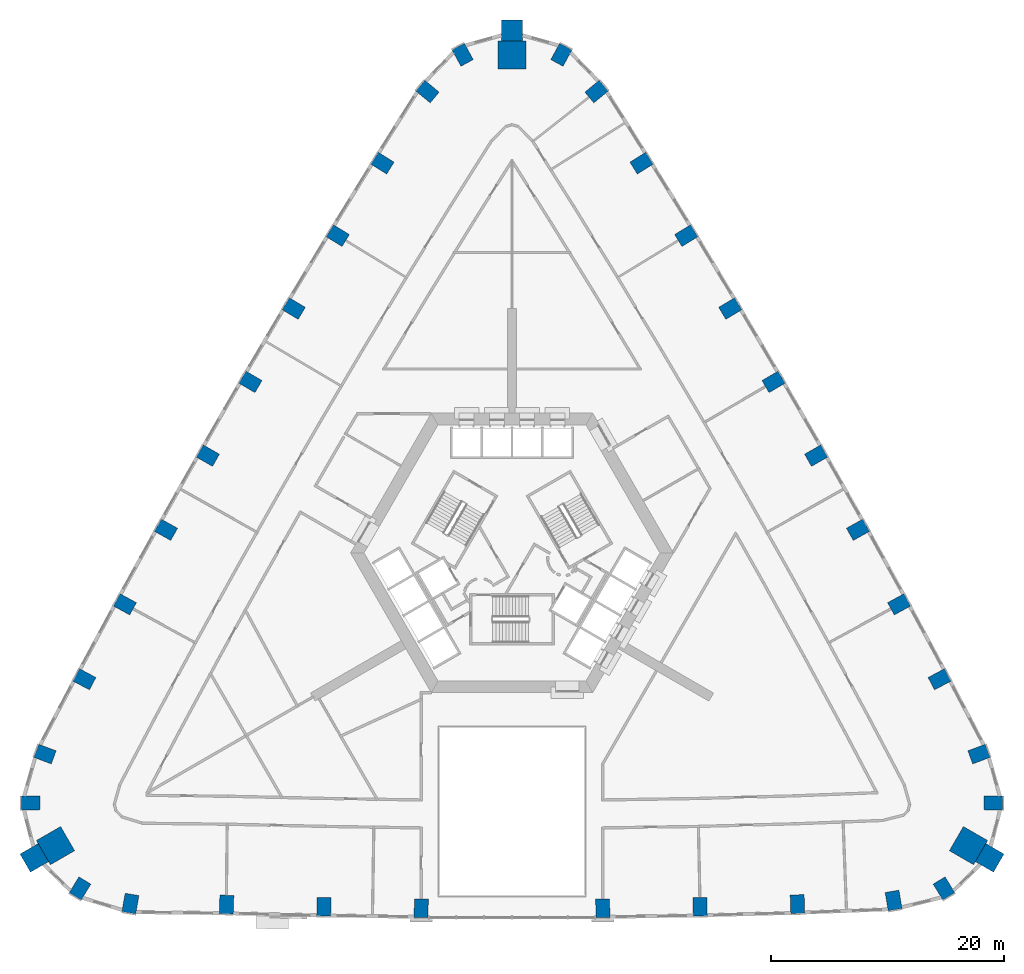
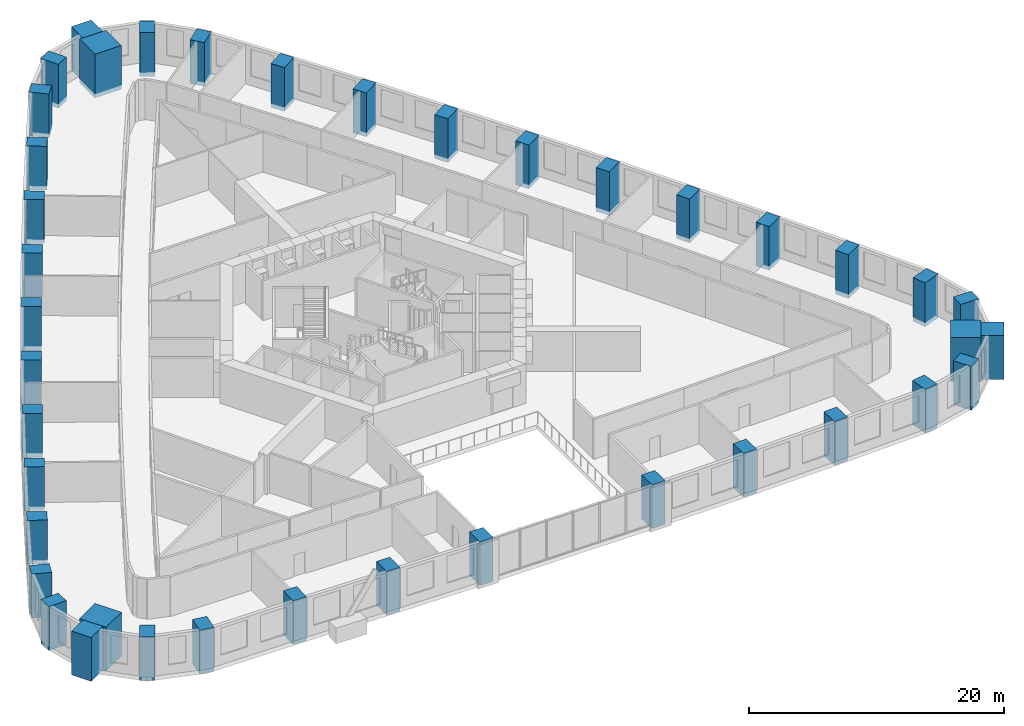
# One storey, part 1 of 13: 40 columns.
"""IFC4 building model written with IfcOpenShell, lengths in metres."""

import ifcopenshell
import ifcopenshell.guid

model = None  # the IFC model being written
_history = None  # IfcOwnerHistory: only IFC2X3 demands one
_inside = {}  # id of a spatial element -> (the spatial element, [elements in it])
_under = {}  # id of a project, library or spatial element -> (it, [spatial elements below it])
_declared = {}  # id of a project -> (the project, [libraries it declares])
_typed = {}  # id of a type object -> (the type object, [elements of that type])
_made_of = {}  # id of a material, layer set ... -> (it, [elements and type objects made of it])


def new_model(schema):
    """Start an empty IFC model of exactly this schema.

    Asked for "IFC4X3", IfcOpenShell would pick the latest addendum, in which some entities
    have other attributes; the version numbers below select the first issue.
    IFC2X3 requires an IfcOwnerHistory on every rooted entity: one is made here for all.
    """
    global model, _history
    if schema == "IFC4X3":
        model = ifcopenshell.file(schema_version=(4, 3, 0, 0))
    else:
        model = ifcopenshell.file(schema=schema)
    _inside.clear()
    _under.clear()
    _declared.clear()
    _typed.clear()
    _made_of.clear()
    _history = None
    if model.schema == "IFC2X3":
        org = make("IfcOrganization", Name="unknown")
        user = make(
            "IfcPersonAndOrganization",
            ThePerson=make("IfcPerson", FamilyName="unknown"),
            TheOrganization=org,
        )
        app = make(
            "IfcApplication",
            ApplicationDeveloper=org,
            Version="unknown",
            ApplicationFullName="unknown",
            ApplicationIdentifier="unknown",
        )
        _history = make(
            "IfcOwnerHistory",
            OwningUser=user,
            OwningApplication=app,
            ChangeAction="ADDED",
            CreationDate=0,
        )
    return model


def make(cls, **values):
    """One entity of the class cls with the attributes given. An attribute that is None is left unset."""
    return model.create_entity(
        cls, **{name: value for name, value in values.items() if value is not None}
    )


def rooted(cls, **values):
    """An entity with a GlobalId (a new one), such as an element, a storey or a relation."""
    return make(cls, GlobalId=ifcopenshell.guid.new(), OwnerHistory=_history, **values)


def si_unit(unit_type, name, prefix=None):
    """IfcSIUnit, for example si_unit("LENGTHUNIT", "METRE", prefix="MILLI")."""
    return make("IfcSIUnit", UnitType=unit_type, Prefix=prefix, Name=name)


def assignment(units):
    """IfcUnitAssignment: the units of a project."""
    return None if units is None else make("IfcUnitAssignment", Units=units)


def point(xyz):
    """IfcCartesianPoint."""
    return None if xyz is None else make("IfcCartesianPoint", Coordinates=xyz)


def direction(xyz):
    """IfcDirection."""
    return None if xyz is None else make("IfcDirection", DirectionRatios=xyz)


def frame(location, z_axis=None, x_axis=None):
    """IfcAxis2Placement3D, a coordinate frame: its origin and axes. An axis left out is left unset."""
    return make(
        "IfcAxis2Placement3D",
        Location=point(location),
        Axis=direction(z_axis),
        RefDirection=direction(x_axis),
    )


def frame_2d(location, x_axis=None):
    """IfcAxis2Placement2D, a coordinate frame in the plane: its origin and x axis."""
    return make(
        "IfcAxis2Placement2D", Location=point(location), RefDirection=direction(x_axis)
    )


def origin():
    """The frame at (0, 0, 0) with its axes left unset."""
    return frame((0.0, 0.0, 0.0))


def origin_2d():
    """The frame at (0, 0) in the plane with its x axis left unset."""
    return frame_2d((0.0, 0.0))


def place(relative_to, where):
    """IfcLocalPlacement: puts the frame where relative to a parent placement (None: the world)."""
    return make(
        "IfcLocalPlacement", PlacementRelTo=relative_to, RelativePlacement=where
    )


def context(
    kind, dimensions, precision=None, world=None, true_north=None, identifier=None
):
    """IfcGeometricRepresentationContext, for example the 3D "Model" context."""
    return make(
        "IfcGeometricRepresentationContext",
        ContextIdentifier=identifier,
        ContextType=kind,
        CoordinateSpaceDimension=dimensions,
        Precision=precision,
        WorldCoordinateSystem=world,
        TrueNorth=true_north,
    )


def subcontext(parent, identifier, kind, view, scale=None):
    """IfcGeometricRepresentationSubContext, for example "Body" below "Model"."""
    return make(
        "IfcGeometricRepresentationSubContext",
        ContextIdentifier=identifier,
        ContextType=kind,
        ParentContext=parent,
        TargetScale=scale,
        TargetView=view,
    )


def project(units=None, contexts=None):
    """IfcProject with its units and contexts."""
    return rooted(
        "IfcProject",
        Name="project",
        RepresentationContexts=contexts,
        UnitsInContext=assignment(units),
    )


def spatial(cls, under=None, at=None, **own):
    """A site, building, storey or space (cls), placed at a placement, below another one or the project."""
    s = rooted(cls, ObjectPlacement=at, **own)
    if under is not None:
        _under.setdefault(under.id(), (under, []))[1].append(s)
    return s


def profile(cls, at=None, kind="AREA", **sizes):
    """A parametric profile (cls). Its sizes go by their IFC names, for example OverallWidth=200.0."""
    return make(cls, ProfileType=kind, Position=at, **sizes)


def rectangle(**sizes):
    """IfcRectangleProfileDef."""
    return profile("IfcRectangleProfileDef", **sizes)


def extrude(swept, where, along, depth):
    """IfcExtrudedAreaSolid: the profile swept, set in the frame where, extruded along a direction by depth."""
    return make(
        "IfcExtrudedAreaSolid",
        SweptArea=swept,
        Position=where,
        ExtrudedDirection=direction(along),
        Depth=depth,
    )


def shape(context_of_items, identifier, shape_type, items):
    """IfcShapeRepresentation: the items that make up one representation, for example the "Body"."""
    return make(
        "IfcShapeRepresentation",
        ContextOfItems=context_of_items,
        RepresentationIdentifier=identifier,
        RepresentationType=shape_type,
        Items=items,
    )


def material(Name=None, Category=None):
    """IfcMaterial."""
    return make("IfcMaterial", Name=Name, Category=Category)


def material_profile(
    of_material, cross_section, Name=None, Category=None, Priority=None
):
    """IfcMaterialProfile: a cross section and its material."""
    return make(
        "IfcMaterialProfile",
        Name=Name,
        Material=of_material,
        Profile=cross_section,
        Priority=Priority,
        Category=Category,
    )


def profile_set(profiles, Name=None, composite=None):
    """IfcMaterialProfileSet."""
    return make(
        "IfcMaterialProfileSet",
        Name=Name,
        MaterialProfiles=profiles,
        CompositeProfile=composite,
    )


def made_of(thing, what):
    """Note that an element or type object is made of a material, layer set ...; save() writes the relation."""
    if what is not None:
        _made_of.setdefault(what.id(), (what, []))[1].append(thing)
    return thing


def type_object(cls, material=None, **own):
    """A type object (cls), such as IfcWallType, which elements share."""
    return made_of(rooted(cls, **own), material)


def element(
    cls,
    number,
    at=None,
    inside=None,
    cuts=None,
    type_object=None,
    material=None,
    context=None,
    identifier="Body",
    shape_type=None,
    held_by="IfcProductDefinitionShape",
    body=None,
    shapes=None,
    **own,
):
    """One element of the class cls, such as IfcWall. Its Tag is "e" and its number.

    at: its placement. inside: the storey or other place that contains it. cuts: it is an
    opening in that element (IfcRelVoidsElement). A single representation is given by context,
    identifier, shape_type and body (its items); several are given by shapes. held_by: the class
    of the entity that holds the representations. save() writes the other relations.
    """
    e = rooted(cls, Tag="e%d" % number, ObjectPlacement=at, **own)
    if body is not None:
        shapes = [shape(context, identifier, shape_type, body)]
    if shapes is not None:
        e.Representation = make(held_by, Representations=shapes)
    if inside is not None:
        _inside.setdefault(inside.id(), (inside, []))[1].append(e)
    if cuts is not None:
        rooted(
            "IfcRelVoidsElement", RelatingBuildingElement=cuts, RelatedOpeningElement=e
        )
    if type_object is not None:
        _typed.setdefault(type_object.id(), (type_object, []))[1].append(e)
    return made_of(e, material)


def aggregate(whole, parts):
    """IfcRelAggregates: a whole, such as a stair, and the parts it consists of."""
    return rooted("IfcRelAggregates", RelatingObject=whole, RelatedObjects=parts)


def save(model, path):
    """Write the relations noted so far, then the file.

    IfcRelAggregates (storeys below a building ...), IfcRelContainedInSpatialStructure (elements
    in a storey), IfcRelDefinesByType, IfcRelAssociatesMaterial and IfcRelDeclares: one each for
    every whole, place, type object, material and project.
    """
    for whole, parts in _under.values():
        aggregate(whole, parts)
    for where, things in _inside.values():
        rooted(
            "IfcRelContainedInSpatialStructure",
            RelatedElements=things,
            RelatingStructure=where,
        )
    for kind, things in _typed.values():
        rooted("IfcRelDefinesByType", RelatedObjects=things, RelatingType=kind)
    for what, things in _made_of.values():
        rooted("IfcRelAssociatesMaterial", RelatedObjects=things, RelatingMaterial=what)
    for by, libraries in _declared.values():
        rooted("IfcRelDeclares", RelatingContext=by, RelatedDefinitions=libraries)
    model.write(path)


model = new_model("IFC4")

# Units and contexts
model_context = context("Model", 3, precision=1e-05, world=origin(), true_north=direction((0.0, 1.0)))
body_context = subcontext(model_context, "Body", "Model", "MODEL_VIEW")
ifc_project = project(units=[si_unit("LENGTHUNIT", "METRE"), si_unit("AREAUNIT", "SQUARE_METRE"), si_unit("VOLUMEUNIT", "CUBIC_METRE"), si_unit("PLANEANGLEUNIT", "RADIAN"), si_unit("MASSUNIT", "GRAM", prefix="KILO")], contexts=[model_context])

# Site, building, storey
site_placement = place(None, origin())
site = spatial("IfcSite", under=ifc_project, at=site_placement, CompositionType="ELEMENT")
building_placement = place(site_placement, origin())
building = spatial("IfcBuilding", under=site, at=building_placement, Name="Entoto Arch Interchange Tower", CompositionType="ELEMENT")
storey_placement = place(building_placement, frame((0.0, 0.0, 51.800048828125)))
storey = spatial("IfcBuildingStorey", under=building, at=storey_placement, Name="L10", CompositionType="ELEMENT", Elevation=51.800048828125)

# Columns
ifc_material_1 = material(Name="Concrete C60/75", Category="concrete")
ifc_material_profile_1 = material_profile(ifc_material_1, rectangle(XDim=1.199951171875, YDim=1.60009765625, at=origin_2d()))
ifc_profile_set_1 = profile_set([ifc_material_profile_1], Name="Concrete C60/75")
column_type_1 = type_object("IfcColumnType", Name="Column RC 1200x1600 C60/75", PredefinedType="COLUMN", material=ifc_profile_set_1)
for number, where, z_axis, x_axis, name in (
    (1, (-32.760986328125, -27.60888671875, -0.400146484375), (0.0, 0.0, 1.0), (-0.98600476771, 0.166717119856, 0.0), "Column S01 L10"),
    (2, (-24.510009765625, -27.68994140625, -0.400146484375), (0.0, 0.0, 1.0), (-0.999434480961, 0.033626154508, 0.0), "Column S02 L10"),
    (3, (-16.14990234375, -27.876953125, -0.400146484375), (0.0, 0.0, 1.0), (-0.99975435134, 0.022163866481, 0.0), "Column S03 L10"),
    (4, (-7.79296875, -28.010009765625, -0.400146484375), (0.0, 0.0, 1.0), (-0.999966355195, 0.008202955488, 0.0), "Column S04 L10"),
    (5, (7.79296875, -28.010009765625, -0.400146484375), (0.0, 0.0, 1.0), (0.999966355195, 0.008202955488, 0.0), "Column S05 L10"),
    (6, (16.14990234375, -27.876953125, -0.400146484375), (0.0, 0.0, 1.0), (0.99975435134, 0.022163866481, 0.0), "Column S06 L10"),
    (7, (24.510009765625, -27.652099609375, -0.400146484375), (0.0, 0.0, 1.0), (0.999434480961, 0.033626154508, 0.0), "Column S07 L10"),
    (8, (32.760986328125, -27.344970703125, -0.400146484375), (0.0, 0.0, 1.0), (0.98600476771, 0.166717119856, 0.0), "Column S08 L10"),
    (9, (37.087890625, -26.306884765625, -0.400146484375), (0.0, 0.0, 1.0), (0.854522294989, 0.519414716163, 0.0), "Column SE1 L10"),
    (10, (41.325927734375, -18.966064453125, -0.400146484375), (0.0, 0.0, 1.0), (0.022565191802, 0.999745373642, 0.0), "Column SE3 L10"),
    (11, (40.096923828125, -14.77001953125, -0.400146484375), (0.0, 0.0, 1.0), (-0.348277574304, 0.937391450375, 0.0), "Column NE01 L10"),
    (12, (36.7080078125, -8.34912109375, -0.400146484375), (0.0, 0.0, 1.0), (-0.46931745221, 0.883029517656, 0.0), "Column NE02 L10"),
    (13, (33.238037109375, -1.9130859375, -0.400146484375), (0.0, 0.0, 1.0), (-0.478140110514, 0.878283573066, 0.0), "Column NE03 L10"),
    (14, (29.7060546875, 4.487060546875, -0.400146484375), (0.0, 0.0, 1.0), (-0.486914781103, 0.873449481048, 0.0), "Column NE04 L10"),
    (15, (26.112060546875, 10.85498046875, -0.400146484375), (0.0, 0.0, 1.0), (-0.495655741916, 0.868519076074, 0.0), "Column NE05 L10"),
    (16, (22.45703125, 17.18603515625, -0.400146484375), (0.0, 0.0, 1.0), (-0.504331712594, 0.863510002068, 0.0), "Column NE06 L10"),
    (17, (18.739013671875, 23.48193359375, -0.400146484375), (0.0, 0.0, 1.0), (-0.512972048958, 0.858405310438, 0.0), "Column NE07 L10"),
    (18, (14.9609375, 29.742919921875, -0.400146484375), (0.0, 0.0, 1.0), (-0.521545830745, 0.853223268806, 0.0), "Column NE08 L10"),
    (19, (11.123046875, 35.965087890625, -0.400146484375), (0.0, 0.0, 1.0), (-0.530067268476, 0.847955594881, 0.0), "Column NE09 L10"),
    (20, (7.258056640625, 42.111083984375, -0.400146484375), (0.0, 0.0, 1.0), (-0.637666022163, 0.770312952103, 0.0), "Column NE10 L10"),
    (21, (4.238037109375, 45.27197265625, -0.400146484375), (0.0, 0.0, 1.0), (-0.877079103306, 0.48034596547, 0.0), "Column N1 L10"),
    (22, (-4.238037109375, 45.27197265625, -0.400146484375), (0.0, 0.0, 1.0), (0.877079103306, 0.48034596547, 0.0), "Column N3 L10"),
    (23, (-7.258056640625, 42.111083984375, -0.400146484375), (0.0, 0.0, 1.0), (0.637666022163, 0.770312952103, 0.0), "Column NW01 L10"),
    (24, (-11.123046875, 35.965087890625, -0.400146484375), (0.0, 0.0, 1.0), (0.530067268476, 0.847955594881, 0.0), "Column NW02 L10"),
    (25, (-14.9609375, 29.742919921875, -0.400146484375), (0.0, 0.0, 1.0), (0.521545830745, 0.853223268806, 0.0), "Column NW03 L10"),
    (26, (-18.739013671875, 23.48193359375, -0.400146484375), (0.0, 0.0, 1.0), (0.512972048958, 0.858405310438, 0.0), "Column NW04 L10"),
    (27, (-22.45703125, 17.18603515625, -0.400146484375), (0.0, 0.0, 1.0), (0.504331712594, 0.863510002068, 0.0), "Column NW05 L10"),
    (28, (-26.112060546875, 10.85498046875, -0.400146484375), (0.0, 0.0, 1.0), (0.495655741916, 0.868519076074, 0.0), "Column NW06 L10"),
    (29, (-29.7060546875, 4.487060546875, -0.400146484375), (0.0, 0.0, 1.0), (0.486914781103, 0.873449481048, 0.0), "Column NW07 L10"),
    (30, (-33.238037109375, -1.9130859375, -0.400146484375), (0.0, 0.0, 1.0), (0.478140110514, 0.878283573066, 0.0), "Column NW08 L10"),
    (31, (-36.7080078125, -8.34912109375, -0.400146484375), (0.0, 0.0, 1.0), (0.46931745221, 0.883029517656, 0.0), "Column NW09 L10"),
    (32, (-40.096923828125, -14.77001953125, -0.400146484375), (0.0, 0.0, 1.0), (0.348277574304, 0.937391450375, 0.0), "Column NW10 L10"),
    (33, (-41.325927734375, -18.966064453125, -0.400146484375), (0.0, 0.0, 1.0), (-0.022565191802, 0.999745373642, 0.0), "Column SW1 L10"),
    (34, (-37.087890625, -26.306884765625, -0.400146484375), (0.0, 0.0, 1.0), (-0.854522294989, 0.519414716163, 0.0), "Column SW3 L10"),
):
    element("IfcColumn", number, at=place(storey_placement, frame(where, z_axis=z_axis, x_axis=x_axis)), inside=storey, type_object=column_type_1, Name=name, PredefinedType="COLUMN", context=body_context, shape_type="SweptSolid", body=[
        extrude(rectangle(XDim=1.199951171875, YDim=1.60009765625, at=origin_2d()), origin(), (0.0, 0.0, 1.0), 4.2001953125),
    ])
ifc_material_2 = material(Name="Precast concrete C40/50", Category="concrete")
ifc_material_profile_2 = material_profile(ifc_material_2, rectangle(XDim=1.800048828125, YDim=1.800048828125, at=origin_2d()))
ifc_profile_set_2 = profile_set([ifc_material_profile_2], Name="Precast concrete C40/50")
column_type_2 = type_object("IfcColumnType", Name="Frame post RC 1800x1800 precast C40/50", PredefinedType="COLUMN", material=ifc_profile_set_2)
for number, where, z_axis, x_axis, name in (
    (35, (41.012939453125, -23.678955078125, -0.400146484375), (0.0, 0.0, 1.0), (-0.866025403784, 0.5, 0.0), "Frame post SE L10"),
    (36, (0.0, 47.35791015625, -0.400146484375), (0.0, 0.0, 1.0), (0.0, 1.0, 0.0), "Frame post N L10"),
    (37, (-41.012939453125, -23.678955078125, -0.400146484375), (0.0, 0.0, 1.0), (0.866025403784, 0.5, 0.0), "Frame post SW L10"),
):
    element("IfcColumn", number, at=place(storey_placement, frame(where, z_axis=z_axis, x_axis=x_axis)), inside=storey, type_object=column_type_2, Name=name, PredefinedType="COLUMN", context=body_context, shape_type="SweptSolid", body=[
        extrude(rectangle(XDim=1.800048828125, YDim=1.800048828125, at=origin_2d()), origin(), (0.0, 0.0, 1.0), 4.2001953125),
    ])
ifc_material_profile_3 = material_profile(ifc_material_1, rectangle(XDim=2.39990234375, YDim=2.39990234375, at=origin_2d()))
ifc_profile_set_3 = profile_set([ifc_material_profile_3], Name="Concrete C60/75")
column_type_3 = type_object("IfcColumnType", Name="Mega column RC 2400x2400 C60/75", PredefinedType="COLUMN", material=ifc_profile_set_3)
for number, where, z_axis, x_axis, name in (
    (38, (39.194091796875, -22.62890625, -0.400146484375), (0.0, 0.0, 1.0), (-0.866025403784, 0.5, 0.0), "Corner mega column SE2 L10"),
    (39, (0.0, 45.258056640625, -0.400146484375), (0.0, 0.0, 1.0), (0.0, 1.0, 0.0), "Corner mega column N2 L10"),
    (40, (-39.194091796875, -22.62890625, -0.400146484375), (0.0, 0.0, 1.0), (0.866025403784, 0.5, 0.0), "Corner mega column SW2 L10"),
):
    element("IfcColumn", number, at=place(storey_placement, frame(where, z_axis=z_axis, x_axis=x_axis)), inside=storey, type_object=column_type_3, Name=name, PredefinedType="COLUMN", context=body_context, shape_type="SweptSolid", body=[
        extrude(rectangle(XDim=2.39990234375, YDim=2.39990234375, at=origin_2d()), origin(), (0.0, 0.0, 1.0), 4.2001953125),
    ])

save(model, "model.ifc")
